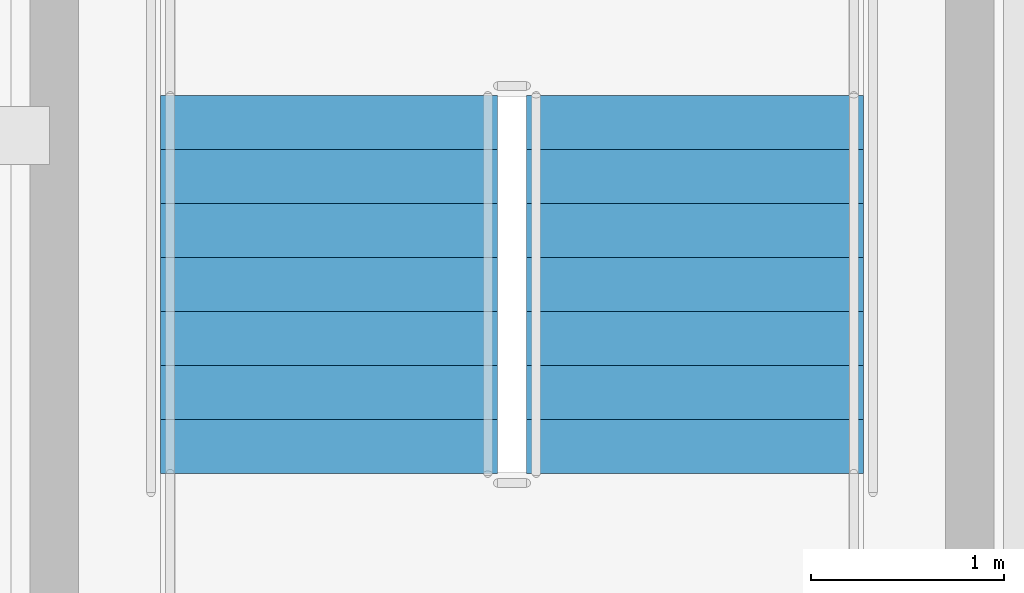
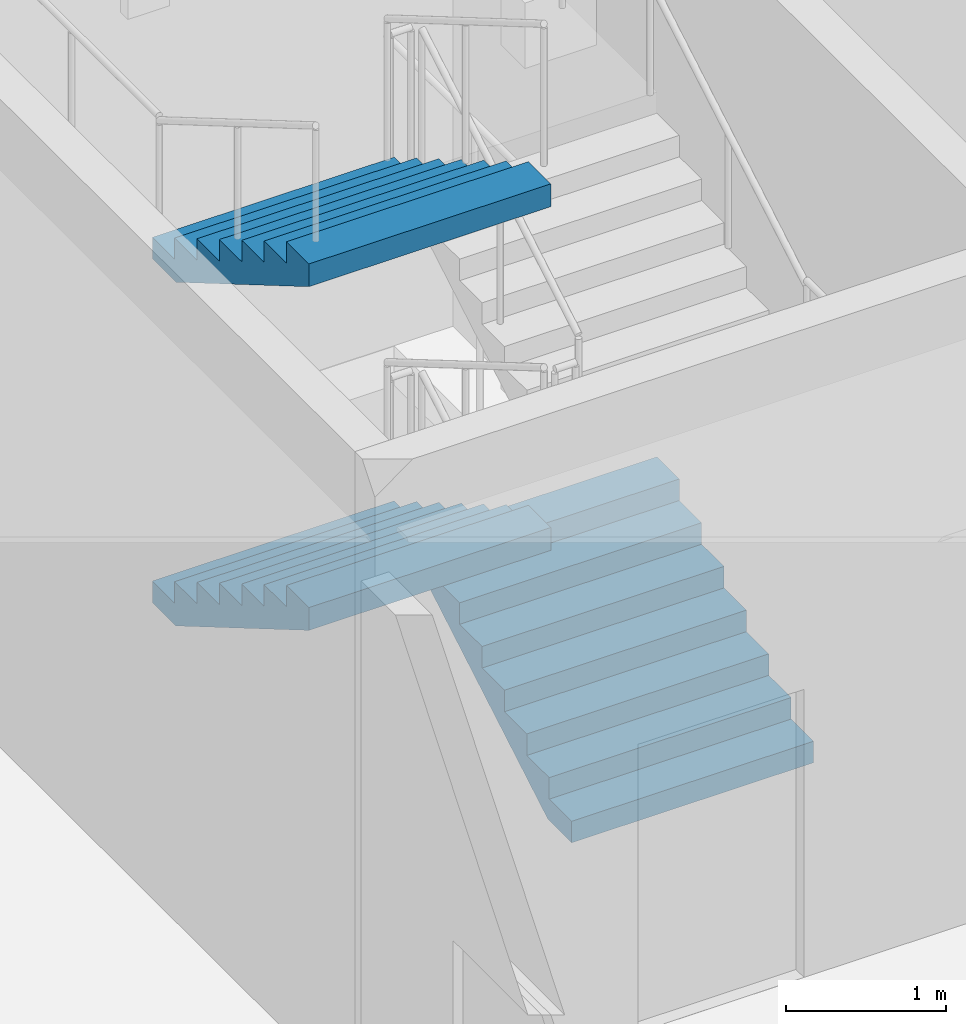
# One storey, part 77 of 125: 3 stair flights, 1 element without a shape of its own.
"""IFC4 building model written with IfcOpenShell, lengths in metres."""

import ifcopenshell
import ifcopenshell.guid

model = None  # the IFC model being written
_history = None  # IfcOwnerHistory: only IFC2X3 demands one
_inside = {}  # id of a spatial element -> (the spatial element, [elements in it])
_under = {}  # id of a project, library or spatial element -> (it, [spatial elements below it])
_declared = {}  # id of a project -> (the project, [libraries it declares])
_typed = {}  # id of a type object -> (the type object, [elements of that type])
_made_of = {}  # id of a material, layer set ... -> (it, [elements and type objects made of it])


def new_model(schema):
    """Start an empty IFC model of exactly this schema.

    Asked for "IFC4X3", IfcOpenShell would pick the latest addendum, in which some entities
    have other attributes; the version numbers below select the first issue.
    IFC2X3 requires an IfcOwnerHistory on every rooted entity: one is made here for all.
    """
    global model, _history
    if schema == "IFC4X3":
        model = ifcopenshell.file(schema_version=(4, 3, 0, 0))
    else:
        model = ifcopenshell.file(schema=schema)
    _inside.clear()
    _under.clear()
    _declared.clear()
    _typed.clear()
    _made_of.clear()
    _history = None
    if model.schema == "IFC2X3":
        org = make("IfcOrganization", Name="unknown")
        user = make(
            "IfcPersonAndOrganization",
            ThePerson=make("IfcPerson", FamilyName="unknown"),
            TheOrganization=org,
        )
        app = make(
            "IfcApplication",
            ApplicationDeveloper=org,
            Version="unknown",
            ApplicationFullName="unknown",
            ApplicationIdentifier="unknown",
        )
        _history = make(
            "IfcOwnerHistory",
            OwningUser=user,
            OwningApplication=app,
            ChangeAction="ADDED",
            CreationDate=0,
        )
    return model


def make(cls, **values):
    """One entity of the class cls with the attributes given. An attribute that is None is left unset."""
    return model.create_entity(
        cls, **{name: value for name, value in values.items() if value is not None}
    )


def rooted(cls, **values):
    """An entity with a GlobalId (a new one), such as an element, a storey or a relation."""
    return make(cls, GlobalId=ifcopenshell.guid.new(), OwnerHistory=_history, **values)


def si_unit(unit_type, name, prefix=None):
    """IfcSIUnit, for example si_unit("LENGTHUNIT", "METRE", prefix="MILLI")."""
    return make("IfcSIUnit", UnitType=unit_type, Prefix=prefix, Name=name)


def assignment(units):
    """IfcUnitAssignment: the units of a project."""
    return None if units is None else make("IfcUnitAssignment", Units=units)


def point(xyz):
    """IfcCartesianPoint."""
    return None if xyz is None else make("IfcCartesianPoint", Coordinates=xyz)


def direction(xyz):
    """IfcDirection."""
    return None if xyz is None else make("IfcDirection", DirectionRatios=xyz)


def frame(location, z_axis=None, x_axis=None):
    """IfcAxis2Placement3D, a coordinate frame: its origin and axes. An axis left out is left unset."""
    return make(
        "IfcAxis2Placement3D",
        Location=point(location),
        Axis=direction(z_axis),
        RefDirection=direction(x_axis),
    )


def origin():
    """The frame at (0, 0, 0) with its axes left unset."""
    return frame((0.0, 0.0, 0.0))


def place(relative_to, where):
    """IfcLocalPlacement: puts the frame where relative to a parent placement (None: the world)."""
    return make(
        "IfcLocalPlacement", PlacementRelTo=relative_to, RelativePlacement=where
    )


def context(
    kind, dimensions, precision=None, world=None, true_north=None, identifier=None
):
    """IfcGeometricRepresentationContext, for example the 3D "Model" context."""
    return make(
        "IfcGeometricRepresentationContext",
        ContextIdentifier=identifier,
        ContextType=kind,
        CoordinateSpaceDimension=dimensions,
        Precision=precision,
        WorldCoordinateSystem=world,
        TrueNorth=true_north,
    )


def subcontext(parent, identifier, kind, view, scale=None):
    """IfcGeometricRepresentationSubContext, for example "Body" below "Model"."""
    return make(
        "IfcGeometricRepresentationSubContext",
        ContextIdentifier=identifier,
        ContextType=kind,
        ParentContext=parent,
        TargetScale=scale,
        TargetView=view,
    )


def project(units=None, contexts=None):
    """IfcProject with its units and contexts."""
    return rooted(
        "IfcProject",
        Name="project",
        RepresentationContexts=contexts,
        UnitsInContext=assignment(units),
    )


def spatial(cls, under=None, at=None, **own):
    """A site, building, storey or space (cls), placed at a placement, below another one or the project."""
    s = rooted(cls, ObjectPlacement=at, **own)
    if under is not None:
        _under.setdefault(under.id(), (under, []))[1].append(s)
    return s


def polyline(points):
    """IfcPolyline through the points."""
    return make("IfcPolyline", Points=[point(p) for p in points])


def outline(outer, holes=None, kind="AREA"):
    """IfcArbitraryClosedProfileDef: a profile drawn as a closed curve; with holes, ...WithVoids."""
    if holes is None:
        return make("IfcArbitraryClosedProfileDef", ProfileType=kind, OuterCurve=outer)
    return make(
        "IfcArbitraryProfileDefWithVoids",
        ProfileType=kind,
        OuterCurve=outer,
        InnerCurves=holes,
    )


def extrude(swept, where, along, depth):
    """IfcExtrudedAreaSolid: the profile swept, set in the frame where, extruded along a direction by depth."""
    return make(
        "IfcExtrudedAreaSolid",
        SweptArea=swept,
        Position=where,
        ExtrudedDirection=direction(along),
        Depth=depth,
    )


def shape(context_of_items, identifier, shape_type, items):
    """IfcShapeRepresentation: the items that make up one representation, for example the "Body"."""
    return make(
        "IfcShapeRepresentation",
        ContextOfItems=context_of_items,
        RepresentationIdentifier=identifier,
        RepresentationType=shape_type,
        Items=items,
    )


def material(Name=None, Category=None):
    """IfcMaterial."""
    return make("IfcMaterial", Name=Name, Category=Category)


def made_of(thing, what):
    """Note that an element or type object is made of a material, layer set ...; save() writes the relation."""
    if what is not None:
        _made_of.setdefault(what.id(), (what, []))[1].append(thing)
    return thing


def type_object(cls, material=None, **own):
    """A type object (cls), such as IfcWallType, which elements share."""
    return made_of(rooted(cls, **own), material)


def element(
    cls,
    number,
    at=None,
    inside=None,
    cuts=None,
    type_object=None,
    material=None,
    context=None,
    identifier="Body",
    shape_type=None,
    held_by="IfcProductDefinitionShape",
    body=None,
    shapes=None,
    **own,
):
    """One element of the class cls, such as IfcWall. Its Tag is "e" and its number.

    at: its placement. inside: the storey or other place that contains it. cuts: it is an
    opening in that element (IfcRelVoidsElement). A single representation is given by context,
    identifier, shape_type and body (its items); several are given by shapes. held_by: the class
    of the entity that holds the representations. save() writes the other relations.
    """
    e = rooted(cls, Tag="e%d" % number, ObjectPlacement=at, **own)
    if body is not None:
        shapes = [shape(context, identifier, shape_type, body)]
    if shapes is not None:
        e.Representation = make(held_by, Representations=shapes)
    if inside is not None:
        _inside.setdefault(inside.id(), (inside, []))[1].append(e)
    if cuts is not None:
        rooted(
            "IfcRelVoidsElement", RelatingBuildingElement=cuts, RelatedOpeningElement=e
        )
    if type_object is not None:
        _typed.setdefault(type_object.id(), (type_object, []))[1].append(e)
    return made_of(e, material)


def aggregate(whole, parts):
    """IfcRelAggregates: a whole, such as a stair, and the parts it consists of."""
    return rooted("IfcRelAggregates", RelatingObject=whole, RelatedObjects=parts)


def save(model, path):
    """Write the relations noted so far, then the file.

    IfcRelAggregates (storeys below a building ...), IfcRelContainedInSpatialStructure (elements
    in a storey), IfcRelDefinesByType, IfcRelAssociatesMaterial and IfcRelDeclares: one each for
    every whole, place, type object, material and project.
    """
    for whole, parts in _under.values():
        aggregate(whole, parts)
    for where, things in _inside.values():
        rooted(
            "IfcRelContainedInSpatialStructure",
            RelatedElements=things,
            RelatingStructure=where,
        )
    for kind, things in _typed.values():
        rooted("IfcRelDefinesByType", RelatedObjects=things, RelatingType=kind)
    for what, things in _made_of.values():
        rooted("IfcRelAssociatesMaterial", RelatedObjects=things, RelatingMaterial=what)
    for by, libraries in _declared.values():
        rooted("IfcRelDeclares", RelatingContext=by, RelatedDefinitions=libraries)
    model.write(path)


model = new_model("IFC4")

# Units and contexts
model_context = context("Model", 3, precision=1e-05, world=origin(), true_north=direction((0.0, 1.0)))
body_context = subcontext(model_context, "Body", "Model", "MODEL_VIEW")
ifc_project = project(units=[si_unit("LENGTHUNIT", "METRE"), si_unit("AREAUNIT", "SQUARE_METRE"), si_unit("VOLUMEUNIT", "CUBIC_METRE"), si_unit("PLANEANGLEUNIT", "RADIAN"), si_unit("MASSUNIT", "GRAM", prefix="KILO")], contexts=[model_context])

# Site, building, storey
site_placement = place(None, origin())
site = spatial("IfcSite", under=ifc_project, at=site_placement, CompositionType="ELEMENT")
building_placement = place(site_placement, origin())
building = spatial("IfcBuilding", under=site, at=building_placement, Name="Sun Court Science Centre", CompositionType="ELEMENT")
storey_placement = place(building_placement, frame((0.0, 0.0, 6.0)))
storey = spatial("IfcBuildingStorey", under=building, at=storey_placement, Name="L01", CompositionType="ELEMENT", Elevation=6.0)

# Stair, stair flights
ifc_material_1 = material(Name="Concrete C25/30", Category="concrete")
stair_type = type_object("IfcStairType", Name="Stair 1500 enclosed half-turn", PredefinedType="HALF_TURN_STAIR", material=ifc_material_1)
stair_placement = place(storey_placement, origin())
stair = element("IfcStair", 1, at=stair_placement, inside=storey, type_object=stair_type, Name="L01 Stair SL3", PredefinedType="HALF_TURN_STAIR")
ifc_material_2 = material(Name="Concrete C25/30", Category="concrete")
stair_flight_type = type_object("IfcStairFlightType", Name="Stair flight 1500 with waist", PredefinedType="STRAIGHT", material=ifc_material_2)
stair_flight_1_placement = place(storey_placement, frame((85.448974609375, 60.498046875, 0.0), z_axis=(0.0, 0.0, 1.0), x_axis=(0.0, 1.0, 0.0)))
stair_flight_1 = element("IfcStairFlight", 2, at=stair_flight_1_placement, type_object=stair_flight_type, Name="SL3 flight 1", NumberOfRisers=8, NumberOfTreads=7, PredefinedType="STRAIGHT", RiserHeight=0.1640625, TreadLength=0.28, context=body_context, shape_type="SweptSolid", body=[
    extrude(outline(polyline([(0.0, 0.0), (0.0, 0.00244140625), (0.0, 0.0048828125), (0.0, 0.00732421875), (0.0, 0.009765625), (0.0, 0.01220703125), (0.0, 0.0146484375), (0.0, 0.01708984375), (0.0, 0.01953125), (0.0, 0.02197265625), (0.0, 0.0244140625), (0.0, 0.02685546875), (0.0, 0.029296875), (0.0, 0.03173828125), (0.0, 0.0341796875), (0.0, 0.03662109375), (0.0, 0.0390625), (0.0, 0.04150390625), (0.0, 0.0439453125), (0.0, 0.04638671875), (0.0, 0.048828125), (0.0, 0.05126953125), (0.0, 0.0537109375), (0.0, 0.05615234375), (0.0, 0.05859375), (0.0, 0.06103515625), (0.0, 0.0634765625), (0.0, 0.06591796875), (0.0, 0.068359375), (0.0, 0.07080078125), (0.0, 0.0732421875), (0.0, 0.07568359375), (0.0, 0.078125), (0.0, 0.08056640625), (0.0, 0.0830078125), (0.0, 0.08544921875), (0.0, 0.087890625), (0.0, 0.09033203125), (0.0, 0.0927734375), (0.0, 0.09521484375), (0.0, 0.09765625), (0.0, 0.10009765625), (0.0, 0.1025390625), (0.0, 0.10498046875), (0.0, 0.107421875), (0.0, 0.10986328125), (0.0, 0.1123046875), (0.0, 0.11474609375), (0.0, 0.1171875), (0.0, 0.11962890625), (0.0, 0.1220703125), (0.0, 0.12451171875), (0.0, 0.126953125), (0.0, 0.12939453125), (0.0, 0.1318359375), (0.0, 0.13427734375), (0.0, 0.13671875), (0.0, 0.13916015625), (0.0, 0.1416015625), (0.0, 0.14404296875), (0.0, 0.146484375), (0.0, 0.14892578125), (0.0, 0.1513671875), (0.0, 0.15380859375), (0.0, 0.15625), (0.0, 0.15869140625), (0.0, 0.1611328125), (0.0, 0.1640625), (0.280029296875, 0.1640625), (0.280029296875, 0.328125), (0.56005859375, 0.328125), (0.56005859375, 0.4921875), (0.840087890625, 0.4921875), (0.840087890625, 0.65625), (1.1201171875, 0.65625), (1.1201171875, 0.8203125), (1.39990234375, 0.8203125), (1.39990234375, 0.984375), (1.679931640625, 0.984375), (1.679931640625, 1.1484375), (1.9599609375, 1.1484375), (1.9599609375, 1.15087890625), (1.9599609375, 1.1533203125), (1.9599609375, 1.15576171875), (1.9599609375, 1.158203125), (1.9599609375, 1.16064453125), (1.9599609375, 1.1630859375), (1.9599609375, 1.16552734375), (1.9599609375, 1.16796875), (1.9599609375, 1.17041015625), (1.9599609375, 1.1728515625), (1.9599609375, 1.17529296875), (1.9599609375, 1.177734375), (1.9599609375, 1.18017578125), (1.9599609375, 1.1826171875), (1.9599609375, 1.18505859375), (1.9599609375, 1.1875), (1.9599609375, 1.18994140625), (1.9599609375, 1.1923828125), (1.9599609375, 1.19482421875), (1.9599609375, 1.197265625), (1.9599609375, 1.19970703125), (1.9599609375, 1.2021484375), (1.9599609375, 1.20458984375), (1.9599609375, 1.20703125), (1.9599609375, 1.20947265625), (1.9599609375, 1.2119140625), (1.9599609375, 1.21435546875), (1.9599609375, 1.216796875), (1.9599609375, 1.21923828125), (1.9599609375, 1.2216796875), (1.9599609375, 1.22412109375), (1.9599609375, 1.2265625), (1.9599609375, 1.22900390625), (1.9599609375, 1.2314453125), (1.9599609375, 1.23388671875), (1.9599609375, 1.236328125), (1.9599609375, 1.23876953125), (1.9599609375, 1.2412109375), (1.9599609375, 1.24365234375), (1.9599609375, 1.24609375), (1.9599609375, 1.24853515625), (1.9599609375, 1.2509765625), (1.9599609375, 1.25341796875), (1.9599609375, 1.255859375), (1.9599609375, 1.25830078125), (1.9599609375, 1.2607421875), (1.9599609375, 1.26318359375), (1.9599609375, 1.265625), (1.9599609375, 1.26806640625), (1.9599609375, 1.2705078125), (1.9599609375, 1.27294921875), (1.9599609375, 1.275390625), (1.9599609375, 1.27783203125), (1.9599609375, 1.2802734375), (1.9599609375, 1.28271484375), (1.9599609375, 1.28515625), (1.9599609375, 1.28759765625), (1.9599609375, 1.2900390625), (1.9599609375, 1.29248046875), (1.9599609375, 1.294921875), (1.9599609375, 1.29736328125), (1.9599609375, 1.2998046875), (1.9599609375, 1.30224609375), (1.9599609375, 1.3046875), (1.9599609375, 1.30712890625), (1.9599609375, 1.3095703125), (1.9599609375, 1.3125), (1.9599609375, 1.31005859375), (1.9599609375, 1.3076171875), (1.9599609375, 1.30517578125), (1.9599609375, 1.302734375), (1.9599609375, 1.30029296875), (1.9599609375, 1.2978515625), (1.9599609375, 1.29541015625), (1.9599609375, 1.29296875), (1.9599609375, 1.29052734375), (1.9599609375, 1.2880859375), (1.9599609375, 1.28564453125), (1.9599609375, 1.283203125), (1.9599609375, 1.28076171875), (1.9599609375, 1.2783203125), (1.9599609375, 1.27587890625), (1.9599609375, 1.2734375), (1.9599609375, 1.27099609375), (1.9599609375, 1.2685546875), (1.9599609375, 1.26611328125), (1.9599609375, 1.263671875), (1.9599609375, 1.26123046875), (1.9599609375, 1.2587890625), (1.9599609375, 1.25634765625), (1.9599609375, 1.25390625), (1.9599609375, 1.25146484375), (1.9599609375, 1.2490234375), (1.9599609375, 1.24658203125), (1.9599609375, 1.244140625), (1.9599609375, 1.24169921875), (1.9599609375, 1.2392578125), (1.9599609375, 1.23681640625), (1.9599609375, 1.234375), (1.9599609375, 1.23193359375), (1.9599609375, 1.2294921875), (1.9599609375, 1.22705078125), (1.9599609375, 1.224609375), (1.9599609375, 1.22216796875), (1.9599609375, 1.2197265625), (1.9599609375, 1.21728515625), (1.9599609375, 1.21484375), (1.9599609375, 1.21240234375), (1.9599609375, 1.2099609375), (1.9599609375, 1.20751953125), (1.9599609375, 1.205078125), (1.9599609375, 1.20263671875), (1.9599609375, 1.2001953125), (1.9599609375, 1.19775390625), (1.9599609375, 1.1953125), (1.9599609375, 1.19287109375), (1.9599609375, 1.1904296875), (1.9599609375, 1.18798828125), (1.9599609375, 1.185546875), (1.9599609375, 1.18310546875), (1.9599609375, 1.1806640625), (1.9599609375, 1.17822265625), (1.9599609375, 1.17578125), (1.9599609375, 1.17333984375), (1.9599609375, 1.1708984375), (1.9599609375, 1.16845703125), (1.9599609375, 1.166015625), (1.9599609375, 1.16357421875), (1.9599609375, 1.1611328125), (1.9599609375, 1.15869140625), (1.9599609375, 1.15625), (1.9599609375, 1.15380859375), (1.9599609375, 1.1513671875), (1.9599609375, 1.14892578125), (1.9599609375, 1.146484375), (1.9599609375, 1.14404296875), (1.9599609375, 1.1416015625), (1.9599609375, 1.13916015625), (1.9599609375, 1.13671875), (1.9599609375, 1.13427734375), (1.9599609375, 1.1318359375), (1.9599609375, 1.12939453125), (1.9599609375, 1.126953125), (1.9599609375, 1.12451171875), (1.9599609375, 1.1220703125), (1.9599609375, 1.11962890625), (1.9599609375, 1.1171875), (1.9599609375, 1.11474609375), (1.9599609375, 1.1123046875), (1.9599609375, 1.10986328125), (1.9599609375, 1.107421875), (1.9599609375, 1.10498046875), (1.9599609375, 1.1025390625), (1.9599609375, 1.10009765625), (1.9599609375, 1.09765625), (1.9599609375, 1.09521484375), (1.9599609375, 1.0927734375), (1.9599609375, 1.09033203125), (1.9599609375, 1.087890625), (1.9599609375, 1.08544921875), (1.9599609375, 1.0830078125), (1.9599609375, 1.08056640625), (1.9599609375, 1.078125), (1.9599609375, 1.07568359375), (1.9599609375, 1.0732421875), (1.9599609375, 1.07080078125), (1.9599609375, 1.068359375), (1.9599609375, 1.06591796875), (1.9599609375, 1.0634765625), (1.9599609375, 1.06103515625), (1.9599609375, 1.05859375), (1.9599609375, 1.05615234375), (1.9599609375, 1.0537109375), (1.9599609375, 1.05126953125), (1.9599609375, 1.048828125), (1.9599609375, 1.04638671875), (1.9599609375, 1.0439453125), (1.9599609375, 1.04150390625), (1.9599609375, 1.0390625), (1.9599609375, 1.03662109375), (1.9599609375, 1.0341796875), (1.9599609375, 1.03173828125), (1.9599609375, 1.029296875), (1.9599609375, 1.02685546875), (1.9599609375, 1.0244140625), (1.9599609375, 1.02197265625), (1.9599609375, 1.01953125), (1.9599609375, 1.01708984375), (1.9599609375, 1.0146484375), (1.9599609375, 1.01220703125), (1.9599609375, 1.009765625), (1.9599609375, 1.00732421875), (1.9599609375, 1.0048828125), (1.9599609375, 1.00244140625), (1.9599609375, 1.0), (1.9599609375, 0.99755859375), (1.9599609375, 0.9951171875), (1.9599609375, 0.99267578125), (1.9599609375, 0.990234375), (1.9599609375, 0.98779296875), (1.9599609375, 0.9853515625), (1.9599609375, 0.98291015625), (1.9599609375, 0.98046875), (1.9599609375, 0.97802734375), (1.9599609375, 0.974609375), (0.296630859375, 0.0), (0.0, 0.0)])), frame((0.0, 0.8740234375, 0.0), z_axis=(0.0, -1.0, 0.0), x_axis=(1.0, 0.0, 0.0)), (0.0, 0.0, 1.0), 1.748046875),
])
stair_flight_2_placement = place(storey_placement, frame((83.551025390625, 62.4580078125, 1.3125), z_axis=(0.0, 0.0, 1.0), x_axis=(0.0, -1.0, 0.0)))
stair_flight_2 = element("IfcStairFlight", 3, at=stair_flight_2_placement, type_object=stair_flight_type, Name="SL3 flight 2", NumberOfRisers=8, NumberOfTreads=7, PredefinedType="STRAIGHT", RiserHeight=0.1640625, TreadLength=0.28, context=body_context, shape_type="SweptSolid", body=[
    extrude(outline(polyline([(0.0, 0.0), (0.0, 0.00244140625), (0.0, 0.0048828125), (0.0, 0.00732421875), (0.0, 0.009765625), (0.0, 0.01220703125), (0.0, 0.0146484375), (0.0, 0.01708984375), (0.0, 0.01953125), (0.0, 0.02197265625), (0.0, 0.0244140625), (0.0, 0.02685546875), (0.0, 0.029296875), (0.0, 0.03173828125), (0.0, 0.0341796875), (0.0, 0.03662109375), (0.0, 0.0390625), (0.0, 0.04150390625), (0.0, 0.0439453125), (0.0, 0.04638671875), (0.0, 0.048828125), (0.0, 0.05126953125), (0.0, 0.0537109375), (0.0, 0.05615234375), (0.0, 0.05859375), (0.0, 0.06103515625), (0.0, 0.0634765625), (0.0, 0.06591796875), (0.0, 0.068359375), (0.0, 0.07080078125), (0.0, 0.0732421875), (0.0, 0.07568359375), (0.0, 0.078125), (0.0, 0.08056640625), (0.0, 0.0830078125), (0.0, 0.08544921875), (0.0, 0.087890625), (0.0, 0.09033203125), (0.0, 0.0927734375), (0.0, 0.09521484375), (0.0, 0.09765625), (0.0, 0.10009765625), (0.0, 0.1025390625), (0.0, 0.10498046875), (0.0, 0.107421875), (0.0, 0.10986328125), (0.0, 0.1123046875), (0.0, 0.11474609375), (0.0, 0.1171875), (0.0, 0.11962890625), (0.0, 0.1220703125), (0.0, 0.12451171875), (0.0, 0.126953125), (0.0, 0.12939453125), (0.0, 0.1318359375), (0.0, 0.13427734375), (0.0, 0.13671875), (0.0, 0.13916015625), (0.0, 0.1416015625), (0.0, 0.14404296875), (0.0, 0.146484375), (0.0, 0.14892578125), (0.0, 0.1513671875), (0.0, 0.15380859375), (0.0, 0.15625), (0.0, 0.15869140625), (0.0, 0.1611328125), (0.0, 0.1640625), (0.280029296875, 0.1640625), (0.280029296875, 0.328125), (0.56005859375, 0.328125), (0.56005859375, 0.4921875), (0.840087890625, 0.4921875), (0.840087890625, 0.65625), (1.1201171875, 0.65625), (1.1201171875, 0.8203125), (1.39990234375, 0.8203125), (1.39990234375, 0.984375), (1.679931640625, 0.984375), (1.679931640625, 1.1484375), (1.9599609375, 1.1484375), (1.9599609375, 1.15087890625), (1.9599609375, 1.1533203125), (1.9599609375, 1.15576171875), (1.9599609375, 1.158203125), (1.9599609375, 1.16064453125), (1.9599609375, 1.1630859375), (1.9599609375, 1.16552734375), (1.9599609375, 1.16796875), (1.9599609375, 1.17041015625), (1.9599609375, 1.1728515625), (1.9599609375, 1.17529296875), (1.9599609375, 1.177734375), (1.9599609375, 1.18017578125), (1.9599609375, 1.1826171875), (1.9599609375, 1.18505859375), (1.9599609375, 1.1875), (1.9599609375, 1.18994140625), (1.9599609375, 1.1923828125), (1.9599609375, 1.19482421875), (1.9599609375, 1.197265625), (1.9599609375, 1.19970703125), (1.9599609375, 1.2021484375), (1.9599609375, 1.20458984375), (1.9599609375, 1.20703125), (1.9599609375, 1.20947265625), (1.9599609375, 1.2119140625), (1.9599609375, 1.21435546875), (1.9599609375, 1.216796875), (1.9599609375, 1.21923828125), (1.9599609375, 1.2216796875), (1.9599609375, 1.22412109375), (1.9599609375, 1.2265625), (1.9599609375, 1.22900390625), (1.9599609375, 1.2314453125), (1.9599609375, 1.23388671875), (1.9599609375, 1.236328125), (1.9599609375, 1.23876953125), (1.9599609375, 1.2412109375), (1.9599609375, 1.24365234375), (1.9599609375, 1.24609375), (1.9599609375, 1.24853515625), (1.9599609375, 1.2509765625), (1.9599609375, 1.25341796875), (1.9599609375, 1.255859375), (1.9599609375, 1.25830078125), (1.9599609375, 1.2607421875), (1.9599609375, 1.26318359375), (1.9599609375, 1.265625), (1.9599609375, 1.26806640625), (1.9599609375, 1.2705078125), (1.9599609375, 1.27294921875), (1.9599609375, 1.275390625), (1.9599609375, 1.27783203125), (1.9599609375, 1.2802734375), (1.9599609375, 1.28271484375), (1.9599609375, 1.28515625), (1.9599609375, 1.28759765625), (1.9599609375, 1.2900390625), (1.9599609375, 1.29248046875), (1.9599609375, 1.294921875), (1.9599609375, 1.29736328125), (1.9599609375, 1.2998046875), (1.9599609375, 1.30224609375), (1.9599609375, 1.3046875), (1.9599609375, 1.30712890625), (1.9599609375, 1.3095703125), (1.9599609375, 1.3125), (1.9599609375, 1.31005859375), (1.9599609375, 1.3076171875), (1.9599609375, 1.30517578125), (1.9599609375, 1.302734375), (1.9599609375, 1.30029296875), (1.9599609375, 1.2978515625), (1.9599609375, 1.29541015625), (1.9599609375, 1.29296875), (1.9599609375, 1.29052734375), (1.9599609375, 1.2880859375), (1.9599609375, 1.28564453125), (1.9599609375, 1.283203125), (1.9599609375, 1.28076171875), (1.9599609375, 1.2783203125), (1.9599609375, 1.27587890625), (1.9599609375, 1.2734375), (1.9599609375, 1.27099609375), (1.9599609375, 1.2685546875), (1.9599609375, 1.26611328125), (1.9599609375, 1.263671875), (1.9599609375, 1.26123046875), (1.9599609375, 1.2587890625), (1.9599609375, 1.25634765625), (1.9599609375, 1.25390625), (1.9599609375, 1.25146484375), (1.9599609375, 1.2490234375), (1.9599609375, 1.24658203125), (1.9599609375, 1.244140625), (1.9599609375, 1.24169921875), (1.9599609375, 1.2392578125), (1.9599609375, 1.23681640625), (1.9599609375, 1.234375), (1.9599609375, 1.23193359375), (1.9599609375, 1.2294921875), (1.9599609375, 1.22705078125), (1.9599609375, 1.224609375), (1.9599609375, 1.22216796875), (1.9599609375, 1.2197265625), (1.9599609375, 1.21728515625), (1.9599609375, 1.21484375), (1.9599609375, 1.21240234375), (1.9599609375, 1.2099609375), (1.9599609375, 1.20751953125), (1.9599609375, 1.205078125), (1.9599609375, 1.20263671875), (1.9599609375, 1.2001953125), (1.9599609375, 1.19775390625), (1.9599609375, 1.1953125), (1.9599609375, 1.19287109375), (1.9599609375, 1.1904296875), (1.9599609375, 1.18798828125), (1.9599609375, 1.185546875), (1.9599609375, 1.18310546875), (1.9599609375, 1.1806640625), (1.9599609375, 1.17822265625), (1.9599609375, 1.17578125), (1.9599609375, 1.17333984375), (1.9599609375, 1.1708984375), (1.9599609375, 1.16845703125), (1.9599609375, 1.166015625), (1.9599609375, 1.16357421875), (1.9599609375, 1.1611328125), (1.9599609375, 1.15869140625), (1.9599609375, 1.15625), (1.9599609375, 1.15380859375), (1.9599609375, 1.1513671875), (1.9599609375, 1.14892578125), (1.9599609375, 1.146484375), (1.9599609375, 1.14404296875), (1.9599609375, 1.1416015625), (1.9599609375, 1.13916015625), (1.9599609375, 1.13671875), (1.9599609375, 1.13427734375), (1.9599609375, 1.1318359375), (1.9599609375, 1.12939453125), (1.9599609375, 1.126953125), (1.9599609375, 1.12451171875), (1.9599609375, 1.1220703125), (1.9599609375, 1.11962890625), (1.9599609375, 1.1171875), (1.9599609375, 1.11474609375), (1.9599609375, 1.1123046875), (1.9599609375, 1.10986328125), (1.9599609375, 1.107421875), (1.9599609375, 1.10498046875), (1.9599609375, 1.1025390625), (1.9599609375, 1.10009765625), (1.9599609375, 1.09765625), (1.9599609375, 1.09521484375), (1.9599609375, 1.0927734375), (1.9599609375, 1.09033203125), (1.9599609375, 1.087890625), (1.9599609375, 1.08544921875), (1.9599609375, 1.0830078125), (1.9599609375, 1.08056640625), (1.9599609375, 1.078125), (1.9599609375, 1.07568359375), (1.9599609375, 1.0732421875), (1.9599609375, 1.07080078125), (1.9599609375, 1.068359375), (1.9599609375, 1.06591796875), (1.9599609375, 1.0634765625), (1.9599609375, 1.06103515625), (1.9599609375, 1.05859375), (1.9599609375, 1.05615234375), (1.9599609375, 1.0537109375), (1.9599609375, 1.05126953125), (1.9599609375, 1.048828125), (1.9599609375, 1.04638671875), (1.9599609375, 1.0439453125), (1.9599609375, 1.04150390625), (1.9599609375, 1.0390625), (1.9599609375, 1.03662109375), (1.9599609375, 1.0341796875), (1.9599609375, 1.03173828125), (1.9599609375, 1.029296875), (1.9599609375, 1.02685546875), (1.9599609375, 1.0244140625), (1.9599609375, 1.02197265625), (1.9599609375, 1.01953125), (1.9599609375, 1.01708984375), (1.9599609375, 1.0146484375), (1.9599609375, 1.01220703125), (1.9599609375, 1.009765625), (1.9599609375, 1.00732421875), (1.9599609375, 1.0048828125), (1.9599609375, 1.00244140625), (1.9599609375, 1.0), (1.9599609375, 0.99755859375), (1.9599609375, 0.9951171875), (1.9599609375, 0.99267578125), (1.9599609375, 0.990234375), (1.9599609375, 0.98779296875), (1.9599609375, 0.9853515625), (1.9599609375, 0.98291015625), (1.9599609375, 0.98046875), (1.9599609375, 0.97802734375), (1.9599609375, 0.974609375), (0.296630859375, 0.0), (0.0, 0.0)])), frame((0.0, 0.8740234375, 0.0), z_axis=(0.0, -1.0, 0.0), x_axis=(1.0, 0.0, 0.0)), (0.0, 0.0, 1.0), 1.748046875),
])
stair_flight_3_placement = place(storey_placement, frame((83.551025390625, 62.4580078125, 3.9375), z_axis=(0.0, 0.0, 1.0), x_axis=(0.0, -1.0, 0.0)))
stair_flight_3 = element("IfcStairFlight", 4, at=stair_flight_3_placement, type_object=stair_flight_type, Name="SL3 flight 4", NumberOfRisers=8, NumberOfTreads=7, PredefinedType="STRAIGHT", RiserHeight=0.1640625, TreadLength=0.28, context=body_context, shape_type="SweptSolid", body=[
    extrude(outline(polyline([(0.0, 0.0), (0.0, 0.00244140625), (0.0, 0.0048828125), (0.0, 0.00732421875), (0.0, 0.009765625), (0.0, 0.01220703125), (0.0, 0.0146484375), (0.0, 0.01708984375), (0.0, 0.01953125), (0.0, 0.02197265625), (0.0, 0.0244140625), (0.0, 0.02685546875), (0.0, 0.029296875), (0.0, 0.03173828125), (0.0, 0.0341796875), (0.0, 0.03662109375), (0.0, 0.0390625), (0.0, 0.04150390625), (0.0, 0.0439453125), (0.0, 0.04638671875), (0.0, 0.048828125), (0.0, 0.05126953125), (0.0, 0.0537109375), (0.0, 0.05615234375), (0.0, 0.05859375), (0.0, 0.06103515625), (0.0, 0.0634765625), (0.0, 0.06591796875), (0.0, 0.068359375), (0.0, 0.07080078125), (0.0, 0.0732421875), (0.0, 0.07568359375), (0.0, 0.078125), (0.0, 0.08056640625), (0.0, 0.0830078125), (0.0, 0.08544921875), (0.0, 0.087890625), (0.0, 0.09033203125), (0.0, 0.0927734375), (0.0, 0.09521484375), (0.0, 0.09765625), (0.0, 0.10009765625), (0.0, 0.1025390625), (0.0, 0.10498046875), (0.0, 0.107421875), (0.0, 0.10986328125), (0.0, 0.1123046875), (0.0, 0.11474609375), (0.0, 0.1171875), (0.0, 0.11962890625), (0.0, 0.1220703125), (0.0, 0.12451171875), (0.0, 0.126953125), (0.0, 0.12939453125), (0.0, 0.1318359375), (0.0, 0.13427734375), (0.0, 0.13671875), (0.0, 0.13916015625), (0.0, 0.1416015625), (0.0, 0.14404296875), (0.0, 0.146484375), (0.0, 0.14892578125), (0.0, 0.1513671875), (0.0, 0.15380859375), (0.0, 0.15625), (0.0, 0.15869140625), (0.0, 0.1611328125), (0.0, 0.1640625), (0.280029296875, 0.1640625), (0.280029296875, 0.328125), (0.56005859375, 0.328125), (0.56005859375, 0.4921875), (0.840087890625, 0.4921875), (0.840087890625, 0.65625), (1.1201171875, 0.65625), (1.1201171875, 0.8203125), (1.39990234375, 0.8203125), (1.39990234375, 0.984375), (1.679931640625, 0.984375), (1.679931640625, 1.1484375), (1.9599609375, 1.1484375), (1.9599609375, 1.15087890625), (1.9599609375, 1.1533203125), (1.9599609375, 1.15576171875), (1.9599609375, 1.158203125), (1.9599609375, 1.16064453125), (1.9599609375, 1.1630859375), (1.9599609375, 1.16552734375), (1.9599609375, 1.16796875), (1.9599609375, 1.17041015625), (1.9599609375, 1.1728515625), (1.9599609375, 1.17529296875), (1.9599609375, 1.177734375), (1.9599609375, 1.18017578125), (1.9599609375, 1.1826171875), (1.9599609375, 1.18505859375), (1.9599609375, 1.1875), (1.9599609375, 1.18994140625), (1.9599609375, 1.1923828125), (1.9599609375, 1.19482421875), (1.9599609375, 1.197265625), (1.9599609375, 1.19970703125), (1.9599609375, 1.2021484375), (1.9599609375, 1.20458984375), (1.9599609375, 1.20703125), (1.9599609375, 1.20947265625), (1.9599609375, 1.2119140625), (1.9599609375, 1.21435546875), (1.9599609375, 1.216796875), (1.9599609375, 1.21923828125), (1.9599609375, 1.2216796875), (1.9599609375, 1.22412109375), (1.9599609375, 1.2265625), (1.9599609375, 1.22900390625), (1.9599609375, 1.2314453125), (1.9599609375, 1.23388671875), (1.9599609375, 1.236328125), (1.9599609375, 1.23876953125), (1.9599609375, 1.2412109375), (1.9599609375, 1.24365234375), (1.9599609375, 1.24609375), (1.9599609375, 1.24853515625), (1.9599609375, 1.2509765625), (1.9599609375, 1.25341796875), (1.9599609375, 1.255859375), (1.9599609375, 1.25830078125), (1.9599609375, 1.2607421875), (1.9599609375, 1.26318359375), (1.9599609375, 1.265625), (1.9599609375, 1.26806640625), (1.9599609375, 1.2705078125), (1.9599609375, 1.27294921875), (1.9599609375, 1.275390625), (1.9599609375, 1.27783203125), (1.9599609375, 1.2802734375), (1.9599609375, 1.28271484375), (1.9599609375, 1.28515625), (1.9599609375, 1.28759765625), (1.9599609375, 1.2900390625), (1.9599609375, 1.29248046875), (1.9599609375, 1.294921875), (1.9599609375, 1.29736328125), (1.9599609375, 1.2998046875), (1.9599609375, 1.30224609375), (1.9599609375, 1.3046875), (1.9599609375, 1.30712890625), (1.9599609375, 1.3095703125), (1.9599609375, 1.3125), (1.9599609375, 1.31005859375), (1.9599609375, 1.3076171875), (1.9599609375, 1.30517578125), (1.9599609375, 1.302734375), (1.9599609375, 1.30029296875), (1.9599609375, 1.2978515625), (1.9599609375, 1.29541015625), (1.9599609375, 1.29296875), (1.9599609375, 1.29052734375), (1.9599609375, 1.2880859375), (1.9599609375, 1.28564453125), (1.9599609375, 1.283203125), (1.9599609375, 1.28076171875), (1.9599609375, 1.2783203125), (1.9599609375, 1.27587890625), (1.9599609375, 1.2734375), (1.9599609375, 1.27099609375), (1.9599609375, 1.2685546875), (1.9599609375, 1.26611328125), (1.9599609375, 1.263671875), (1.9599609375, 1.26123046875), (1.9599609375, 1.2587890625), (1.9599609375, 1.25634765625), (1.9599609375, 1.25390625), (1.9599609375, 1.25146484375), (1.9599609375, 1.2490234375), (1.9599609375, 1.24658203125), (1.9599609375, 1.244140625), (1.9599609375, 1.24169921875), (1.9599609375, 1.2392578125), (1.9599609375, 1.23681640625), (1.9599609375, 1.234375), (1.9599609375, 1.23193359375), (1.9599609375, 1.2294921875), (1.9599609375, 1.22705078125), (1.9599609375, 1.224609375), (1.9599609375, 1.22216796875), (1.9599609375, 1.2197265625), (1.9599609375, 1.21728515625), (1.9599609375, 1.21484375), (1.9599609375, 1.21240234375), (1.9599609375, 1.2099609375), (1.9599609375, 1.20751953125), (1.9599609375, 1.205078125), (1.9599609375, 1.20263671875), (1.9599609375, 1.2001953125), (1.9599609375, 1.19775390625), (1.9599609375, 1.1953125), (1.9599609375, 1.19287109375), (1.9599609375, 1.1904296875), (1.9599609375, 1.18798828125), (1.9599609375, 1.185546875), (1.9599609375, 1.18310546875), (1.9599609375, 1.1806640625), (1.9599609375, 1.17822265625), (1.9599609375, 1.17578125), (1.9599609375, 1.17333984375), (1.9599609375, 1.1708984375), (1.9599609375, 1.16845703125), (1.9599609375, 1.166015625), (1.9599609375, 1.16357421875), (1.9599609375, 1.1611328125), (1.9599609375, 1.15869140625), (1.9599609375, 1.15625), (1.9599609375, 1.15380859375), (1.9599609375, 1.1513671875), (1.9599609375, 1.14892578125), (1.9599609375, 1.146484375), (1.9599609375, 1.14404296875), (1.9599609375, 1.1416015625), (1.9599609375, 1.13916015625), (1.9599609375, 1.13671875), (1.9599609375, 1.13427734375), (1.9599609375, 1.1318359375), (1.9599609375, 1.12939453125), (1.9599609375, 1.126953125), (1.9599609375, 1.12451171875), (1.9599609375, 1.1220703125), (1.9599609375, 1.11962890625), (1.9599609375, 1.1171875), (1.9599609375, 1.11474609375), (1.9599609375, 1.1123046875), (1.9599609375, 1.10986328125), (1.9599609375, 1.107421875), (1.9599609375, 1.10498046875), (1.9599609375, 1.1025390625), (1.9599609375, 1.10009765625), (1.9599609375, 1.09765625), (1.9599609375, 1.09521484375), (1.9599609375, 1.0927734375), (1.9599609375, 1.09033203125), (1.9599609375, 1.087890625), (1.9599609375, 1.08544921875), (1.9599609375, 1.0830078125), (1.9599609375, 1.08056640625), (1.9599609375, 1.078125), (1.9599609375, 1.07568359375), (1.9599609375, 1.0732421875), (1.9599609375, 1.07080078125), (1.9599609375, 1.068359375), (1.9599609375, 1.06591796875), (1.9599609375, 1.0634765625), (1.9599609375, 1.06103515625), (1.9599609375, 1.05859375), (1.9599609375, 1.05615234375), (1.9599609375, 1.0537109375), (1.9599609375, 1.05126953125), (1.9599609375, 1.048828125), (1.9599609375, 1.04638671875), (1.9599609375, 1.0439453125), (1.9599609375, 1.04150390625), (1.9599609375, 1.0390625), (1.9599609375, 1.03662109375), (1.9599609375, 1.0341796875), (1.9599609375, 1.03173828125), (1.9599609375, 1.029296875), (1.9599609375, 1.02685546875), (1.9599609375, 1.0244140625), (1.9599609375, 1.02197265625), (1.9599609375, 1.01953125), (1.9599609375, 1.01708984375), (1.9599609375, 1.0146484375), (1.9599609375, 1.01220703125), (1.9599609375, 1.009765625), (1.9599609375, 1.00732421875), (1.9599609375, 1.0048828125), (1.9599609375, 1.00244140625), (1.9599609375, 1.0), (1.9599609375, 0.99755859375), (1.9599609375, 0.9951171875), (1.9599609375, 0.99267578125), (1.9599609375, 0.990234375), (1.9599609375, 0.98779296875), (1.9599609375, 0.9853515625), (1.9599609375, 0.98291015625), (1.9599609375, 0.98046875), (1.9599609375, 0.97802734375), (1.9599609375, 0.974609375), (0.296630859375, 0.0), (0.0, 0.0)])), frame((0.0, 0.8740234375, 0.0), z_axis=(0.0, -1.0, 0.0), x_axis=(1.0, 0.0, 0.0)), (0.0, 0.0, 1.0), 1.748046875),
])
aggregate(stair, [stair_flight_1, stair_flight_2, stair_flight_3])

save(model, "model.ifc")
